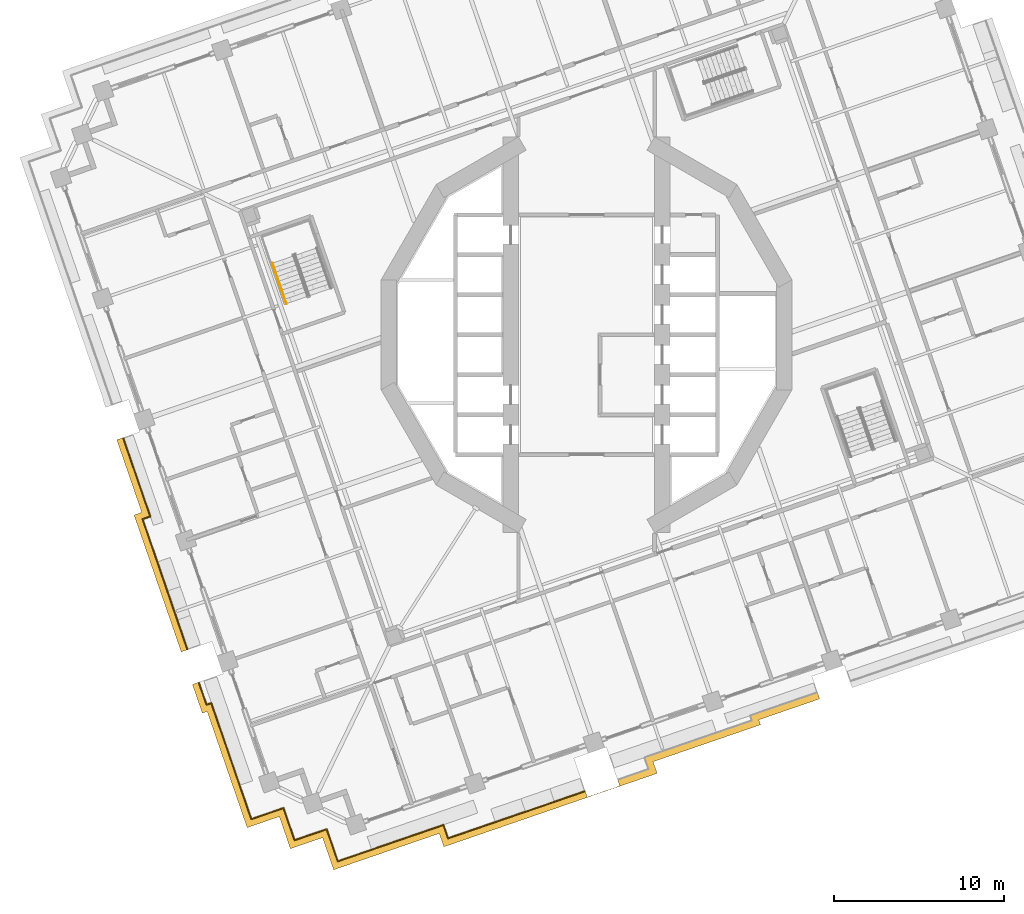
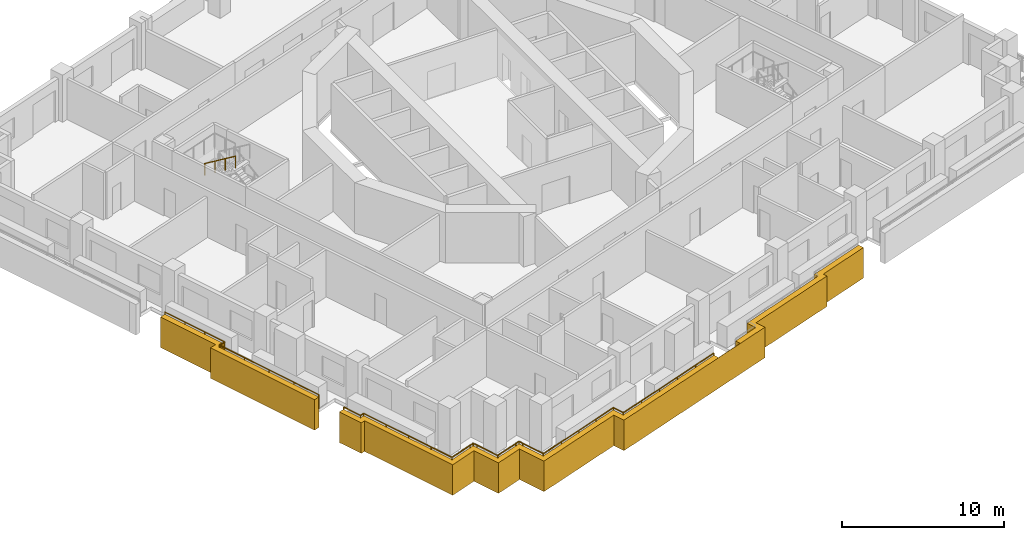
# One storey, part 12 of 18: 5 railings, 2 coverings.
"""IFC4 building model written with IfcOpenShell, lengths in metres."""

import ifcopenshell
import ifcopenshell.guid

model = None  # the IFC model being written
_history = None  # IfcOwnerHistory: only IFC2X3 demands one
_inside = {}  # id of a spatial element -> (the spatial element, [elements in it])
_under = {}  # id of a project, library or spatial element -> (it, [spatial elements below it])
_declared = {}  # id of a project -> (the project, [libraries it declares])
_typed = {}  # id of a type object -> (the type object, [elements of that type])
_made_of = {}  # id of a material, layer set ... -> (it, [elements and type objects made of it])


def new_model(schema):
    """Start an empty IFC model of exactly this schema.

    Asked for "IFC4X3", IfcOpenShell would pick the latest addendum, in which some entities
    have other attributes; the version numbers below select the first issue.
    IFC2X3 requires an IfcOwnerHistory on every rooted entity: one is made here for all.
    """
    global model, _history
    if schema == "IFC4X3":
        model = ifcopenshell.file(schema_version=(4, 3, 0, 0))
    else:
        model = ifcopenshell.file(schema=schema)
    _inside.clear()
    _under.clear()
    _declared.clear()
    _typed.clear()
    _made_of.clear()
    _history = None
    if model.schema == "IFC2X3":
        org = make("IfcOrganization", Name="unknown")
        user = make(
            "IfcPersonAndOrganization",
            ThePerson=make("IfcPerson", FamilyName="unknown"),
            TheOrganization=org,
        )
        app = make(
            "IfcApplication",
            ApplicationDeveloper=org,
            Version="unknown",
            ApplicationFullName="unknown",
            ApplicationIdentifier="unknown",
        )
        _history = make(
            "IfcOwnerHistory",
            OwningUser=user,
            OwningApplication=app,
            ChangeAction="ADDED",
            CreationDate=0,
        )
    return model


def make(cls, **values):
    """One entity of the class cls with the attributes given. An attribute that is None is left unset."""
    return model.create_entity(
        cls, **{name: value for name, value in values.items() if value is not None}
    )


def rooted(cls, **values):
    """An entity with a GlobalId (a new one), such as an element, a storey or a relation."""
    return make(cls, GlobalId=ifcopenshell.guid.new(), OwnerHistory=_history, **values)


def si_unit(unit_type, name, prefix=None):
    """IfcSIUnit, for example si_unit("LENGTHUNIT", "METRE", prefix="MILLI")."""
    return make("IfcSIUnit", UnitType=unit_type, Prefix=prefix, Name=name)


def assignment(units):
    """IfcUnitAssignment: the units of a project."""
    return None if units is None else make("IfcUnitAssignment", Units=units)


def point(xyz):
    """IfcCartesianPoint."""
    return None if xyz is None else make("IfcCartesianPoint", Coordinates=xyz)


def direction(xyz):
    """IfcDirection."""
    return None if xyz is None else make("IfcDirection", DirectionRatios=xyz)


def frame(location, z_axis=None, x_axis=None):
    """IfcAxis2Placement3D, a coordinate frame: its origin and axes. An axis left out is left unset."""
    return make(
        "IfcAxis2Placement3D",
        Location=point(location),
        Axis=direction(z_axis),
        RefDirection=direction(x_axis),
    )


def frame_2d(location, x_axis=None):
    """IfcAxis2Placement2D, a coordinate frame in the plane: its origin and x axis."""
    return make(
        "IfcAxis2Placement2D", Location=point(location), RefDirection=direction(x_axis)
    )


def origin():
    """The frame at (0, 0, 0) with its axes left unset."""
    return frame((0.0, 0.0, 0.0))


def origin_2d():
    """The frame at (0, 0) in the plane with its x axis left unset."""
    return frame_2d((0.0, 0.0))


def place(relative_to, where):
    """IfcLocalPlacement: puts the frame where relative to a parent placement (None: the world)."""
    return make(
        "IfcLocalPlacement", PlacementRelTo=relative_to, RelativePlacement=where
    )


def context(
    kind, dimensions, precision=None, world=None, true_north=None, identifier=None
):
    """IfcGeometricRepresentationContext, for example the 3D "Model" context."""
    return make(
        "IfcGeometricRepresentationContext",
        ContextIdentifier=identifier,
        ContextType=kind,
        CoordinateSpaceDimension=dimensions,
        Precision=precision,
        WorldCoordinateSystem=world,
        TrueNorth=true_north,
    )


def subcontext(parent, identifier, kind, view, scale=None):
    """IfcGeometricRepresentationSubContext, for example "Body" below "Model"."""
    return make(
        "IfcGeometricRepresentationSubContext",
        ContextIdentifier=identifier,
        ContextType=kind,
        ParentContext=parent,
        TargetScale=scale,
        TargetView=view,
    )


def project(units=None, contexts=None):
    """IfcProject with its units and contexts."""
    return rooted(
        "IfcProject",
        Name="project",
        RepresentationContexts=contexts,
        UnitsInContext=assignment(units),
    )


def spatial(cls, under=None, at=None, **own):
    """A site, building, storey or space (cls), placed at a placement, below another one or the project."""
    s = rooted(cls, ObjectPlacement=at, **own)
    if under is not None:
        _under.setdefault(under.id(), (under, []))[1].append(s)
    return s


def polyline(points):
    """IfcPolyline through the points."""
    return make("IfcPolyline", Points=[point(p) for p in points])


def profile(cls, at=None, kind="AREA", **sizes):
    """A parametric profile (cls). Its sizes go by their IFC names, for example OverallWidth=200.0."""
    return make(cls, ProfileType=kind, Position=at, **sizes)


def circle(**sizes):
    """IfcCircleProfileDef."""
    return profile("IfcCircleProfileDef", **sizes)


def outline(outer, holes=None, kind="AREA"):
    """IfcArbitraryClosedProfileDef: a profile drawn as a closed curve; with holes, ...WithVoids."""
    if holes is None:
        return make("IfcArbitraryClosedProfileDef", ProfileType=kind, OuterCurve=outer)
    return make(
        "IfcArbitraryProfileDefWithVoids",
        ProfileType=kind,
        OuterCurve=outer,
        InnerCurves=holes,
    )


def extrude(swept, where, along, depth):
    """IfcExtrudedAreaSolid: the profile swept, set in the frame where, extruded along a direction by depth."""
    return make(
        "IfcExtrudedAreaSolid",
        SweptArea=swept,
        Position=where,
        ExtrudedDirection=direction(along),
        Depth=depth,
    )


def shape(context_of_items, identifier, shape_type, items):
    """IfcShapeRepresentation: the items that make up one representation, for example the "Body"."""
    return make(
        "IfcShapeRepresentation",
        ContextOfItems=context_of_items,
        RepresentationIdentifier=identifier,
        RepresentationType=shape_type,
        Items=items,
    )


def material(Name=None, Category=None):
    """IfcMaterial."""
    return make("IfcMaterial", Name=Name, Category=Category)


def made_of(thing, what):
    """Note that an element or type object is made of a material, layer set ...; save() writes the relation."""
    if what is not None:
        _made_of.setdefault(what.id(), (what, []))[1].append(thing)
    return thing


def type_object(cls, material=None, **own):
    """A type object (cls), such as IfcWallType, which elements share."""
    return made_of(rooted(cls, **own), material)


def element(
    cls,
    number,
    at=None,
    inside=None,
    cuts=None,
    type_object=None,
    material=None,
    context=None,
    identifier="Body",
    shape_type=None,
    held_by="IfcProductDefinitionShape",
    body=None,
    shapes=None,
    **own,
):
    """One element of the class cls, such as IfcWall. Its Tag is "e" and its number.

    at: its placement. inside: the storey or other place that contains it. cuts: it is an
    opening in that element (IfcRelVoidsElement). A single representation is given by context,
    identifier, shape_type and body (its items); several are given by shapes. held_by: the class
    of the entity that holds the representations. save() writes the other relations.
    """
    e = rooted(cls, Tag="e%d" % number, ObjectPlacement=at, **own)
    if body is not None:
        shapes = [shape(context, identifier, shape_type, body)]
    if shapes is not None:
        e.Representation = make(held_by, Representations=shapes)
    if inside is not None:
        _inside.setdefault(inside.id(), (inside, []))[1].append(e)
    if cuts is not None:
        rooted(
            "IfcRelVoidsElement", RelatingBuildingElement=cuts, RelatedOpeningElement=e
        )
    if type_object is not None:
        _typed.setdefault(type_object.id(), (type_object, []))[1].append(e)
    return made_of(e, material)


def aggregate(whole, parts):
    """IfcRelAggregates: a whole, such as a stair, and the parts it consists of."""
    return rooted("IfcRelAggregates", RelatingObject=whole, RelatedObjects=parts)


def save(model, path):
    """Write the relations noted so far, then the file.

    IfcRelAggregates (storeys below a building ...), IfcRelContainedInSpatialStructure (elements
    in a storey), IfcRelDefinesByType, IfcRelAssociatesMaterial and IfcRelDeclares: one each for
    every whole, place, type object, material and project.
    """
    for whole, parts in _under.values():
        aggregate(whole, parts)
    for where, things in _inside.values():
        rooted(
            "IfcRelContainedInSpatialStructure",
            RelatedElements=things,
            RelatingStructure=where,
        )
    for kind, things in _typed.values():
        rooted("IfcRelDefinesByType", RelatedObjects=things, RelatingType=kind)
    for what, things in _made_of.values():
        rooted("IfcRelAssociatesMaterial", RelatedObjects=things, RelatingMaterial=what)
    for by, libraries in _declared.values():
        rooted("IfcRelDeclares", RelatingContext=by, RelatedDefinitions=libraries)
    model.write(path)


model = new_model("IFC4")

# Units and contexts
model_context = context("Model", 3, precision=1e-05, world=origin(), true_north=direction((0.0, 1.0)))
body_context = subcontext(model_context, "Body", "Model", "MODEL_VIEW")
ifc_project = project(units=[si_unit("LENGTHUNIT", "METRE"), si_unit("AREAUNIT", "SQUARE_METRE"), si_unit("VOLUMEUNIT", "CUBIC_METRE"), si_unit("PLANEANGLEUNIT", "RADIAN"), si_unit("MASSUNIT", "GRAM", prefix="KILO")], contexts=[model_context])

# Site, building, storey
site_placement = place(None, origin())
site = spatial("IfcSite", under=ifc_project, at=site_placement, CompositionType="ELEMENT")
building_placement = place(site_placement, origin())
building = spatial("IfcBuilding", under=site, at=building_placement, Name="Cantera Rosa Tower", CompositionType="ELEMENT")
storey_placement = place(building_placement, frame((0.0, 0.0, 134.5)))
storey = spatial("IfcBuildingStorey", under=building, at=storey_placement, Name="L28", CompositionType="ELEMENT", Elevation=134.5)

# Railings
ifc_material_1 = material(Name="Stainless steel and laminated glass", Category="steel")
railing_type_1 = type_object("IfcRailingType", Name="GUARD 1100", PredefinedType="BALUSTRADE", material=ifc_material_1)
railing_1_placement = place(storey_placement, frame((-19.705810546875, -28.466552734375, 0.0)))
element("IfcRailing", 1, at=railing_1_placement, inside=storey, type_object=railing_type_1, Name="GUARD L28-1", PredefinedType="BALUSTRADE", context=body_context, shape_type="SweptSolid", body=[
    extrude(circle(Radius=0.030029296875, at=origin_2d()), frame((0.0, 0.0, 1.070068359375), z_axis=(-0.325561349174, 0.945520918819, 0.0), x_axis=(-0.945520918819, -0.325561349174, 0.0)), (0.0, 0.0, 1.0), 1.699951171875),
    extrude(circle(Radius=0.030029296875, at=origin_2d()), frame((-0.553466796875, 1.607421875, 1.070068359375), z_axis=(-0.325569350846, 0.945518163649, 0.0), x_axis=(-0.945518163649, -0.325569350846, 0.0)), (0.0, 0.0, 1.0), 5.518310546875),
    extrude(circle(Radius=0.030029296875, at=origin_2d()), frame((-2.35009765625, 6.8251953125, 1.070068359375), z_axis=(-0.945562091627, -0.325441747289, 0.0), x_axis=(0.325441747289, -0.945562091627, 0.0)), (0.0, 0.0, 1.0), 0.301513671875),
    extrude(circle(Radius=0.030029296875, at=origin_2d()), frame((-2.63525390625, 6.72705078125, 1.070068359375), z_axis=(-0.325557288709, 0.945522316907, 0.0), x_axis=(-0.945522316907, -0.325557288709, 0.0)), (0.0, 0.0, 1.0), 1.37158203125),
    extrude(circle(Radius=0.02490234375, at=origin_2d()), origin(), (0.0, 0.0, 1.0), 1.0400390625),
    extrude(circle(Radius=0.02490234375, at=origin_2d()), frame((-0.553466796875, 1.607421875, 0.0)), (0.0, 0.0, 1.0), 1.0400390625),
    extrude(circle(Radius=0.02490234375, at=origin_2d()), frame((-1.15234375, 3.3466796875, 0.0)), (0.0, 0.0, 1.0), 1.0400390625),
    extrude(circle(Radius=0.02490234375, at=origin_2d()), frame((-1.751220703125, 5.0859375, 0.0)), (0.0, 0.0, 1.0), 1.0400390625),
    extrude(circle(Radius=0.02490234375, at=origin_2d()), frame((-2.35009765625, 6.8251953125, 0.0)), (0.0, 0.0, 1.0), 1.0400390625),
    extrude(circle(Radius=0.02490234375, at=origin_2d()), frame((-2.63525390625, 6.72705078125, 0.0)), (0.0, 0.0, 1.0), 1.0400390625),
    extrude(circle(Radius=0.02490234375, at=origin_2d()), frame((-3.081787109375, 8.02392578125, 0.0)), (0.0, 0.0, 1.0), 1.0400390625),
])
railing_2_placement = place(storey_placement, frame((-0.1015625, -26.82666015625, 0.0)))
element("IfcRailing", 2, at=railing_2_placement, inside=storey, type_object=railing_type_1, Name="GUARD L28-2", PredefinedType="BALUSTRADE", context=body_context, shape_type="SweptSolid", body=[
    extrude(circle(Radius=0.030029296875, at=origin_2d()), frame((0.0, 0.0, 1.070068359375), z_axis=(-0.945515705573, -0.3255764895, 0.0), x_axis=(0.3255764895, -0.945515705573, 0.0)), (0.0, 0.0, 1.0), 8.501953125),
    extrude(circle(Radius=0.030029296875, at=origin_2d()), frame((-8.038818359375, -2.76806640625, 1.070068359375), z_axis=(-0.325629026099, 0.94549761362, 0.0), x_axis=(-0.94549761362, -0.325629026099, 0.0)), (0.0, 0.0, 1.0), 0.832275390625),
    extrude(circle(Radius=0.030029296875, at=origin_2d()), frame((-8.309814453125, -1.981201171875, 1.070068359375), z_axis=(-0.945512531249, -0.325585707997, 0.0), x_axis=(0.325585707997, -0.945512531249, 0.0)), (0.0, 0.0, 1.0), 4.867919921875),
    extrude(circle(Radius=0.030029296875, at=origin_2d()), frame((-12.91259765625, -3.566162109375, 1.070068359375), z_axis=(-0.945520918819, -0.325561349174, 0.0), x_axis=(0.325561349174, -0.945520918819, 0.0)), (0.0, 0.0, 1.0), 1.699951171875),
    extrude(circle(Radius=0.030029296875, at=origin_2d()), frame((-14.52001953125, -4.11962890625, 1.070068359375), z_axis=(-0.325561349174, 0.945520918819, 0.0), x_axis=(-0.945520918819, -0.325561349174, 0.0)), (0.0, 0.0, 1.0), 1.699951171875),
    extrude(circle(Radius=0.030029296875, at=origin_2d()), frame((-15.073486328125, -2.51220703125, 1.070068359375), z_axis=(-0.325489086777, 0.945545797087, 0.0), x_axis=(-0.945545797087, -0.325489086777, 0.0)), (0.0, 0.0, 1.0), 0.300048828125),
    extrude(circle(Radius=0.030029296875, at=origin_2d()), frame((-15.171142578125, -2.228515625, 1.070068359375), z_axis=(-0.945459489149, -0.325739703411, 0.0), x_axis=(0.325739703411, -0.945459489149, 0.0)), (0.0, 0.0, 1.0), 0.2998046875),
    extrude(circle(Radius=0.030029296875, at=origin_2d()), frame((-15.45458984375, -2.326171875, 1.070068359375), z_axis=(-0.945520918819, -0.325561349174, 0.0), x_axis=(0.325561349174, -0.945520918819, 0.0)), (0.0, 0.0, 1.0), 1.699951171875),
    extrude(circle(Radius=0.030029296875, at=origin_2d()), frame((-17.06201171875, -2.879638671875, 1.070068359375), z_axis=(-0.325605561237, 0.945505694584, 0.0), x_axis=(-0.945505694584, -0.325605561237, 0.0)), (0.0, 0.0, 1.0), 1.69970703125),
    extrude(circle(Radius=0.030029296875, at=origin_2d()), frame((-17.615478515625, -1.2724609375, 1.070068359375), z_axis=(-0.325489086777, 0.945545797087, 0.0), x_axis=(-0.945545797087, -0.325489086777, 0.0)), (0.0, 0.0, 1.0), 0.300048828125),
    extrude(circle(Radius=0.030029296875, at=origin_2d()), frame((-17.713134765625, -0.98876953125, 1.070068359375), z_axis=(-0.945545797087, -0.325489086777, 0.0), x_axis=(0.325489086777, -0.945545797087, 0.0)), (0.0, 0.0, 1.0), 0.300048828125),
    extrude(circle(Radius=0.030029296875, at=origin_2d()), frame((-17.996826171875, -1.08642578125, 1.070068359375), z_axis=(-0.945520918819, -0.325561349174, 0.0), x_axis=(0.325561349174, -0.945520918819, 0.0)), (0.0, 0.0, 1.0), 1.699951171875),
    extrude(circle(Radius=0.02490234375, at=origin_2d()), origin(), (0.0, 0.0, 1.0), 1.0400390625),
    extrude(circle(Radius=0.02490234375, at=origin_2d()), frame((-1.607666015625, -0.5537109375, 0.0)), (0.0, 0.0, 1.0), 1.0400390625),
    extrude(circle(Radius=0.02490234375, at=origin_2d()), frame((-3.215576171875, -1.107177734375, 0.0)), (0.0, 0.0, 1.0), 1.0400390625),
    extrude(circle(Radius=0.02490234375, at=origin_2d()), frame((-4.8232421875, -1.660888671875, 0.0)), (0.0, 0.0, 1.0), 1.0400390625),
    extrude(circle(Radius=0.02490234375, at=origin_2d()), frame((-6.43115234375, -2.21435546875, 0.0)), (0.0, 0.0, 1.0), 1.0400390625),
    extrude(circle(Radius=0.02490234375, at=origin_2d()), frame((-8.038818359375, -2.76806640625, 0.0)), (0.0, 0.0, 1.0), 1.0400390625),
    extrude(circle(Radius=0.02490234375, at=origin_2d()), frame((-8.309814453125, -1.981201171875, 0.0)), (0.0, 0.0, 1.0), 1.0400390625),
    extrude(circle(Radius=0.02490234375, at=origin_2d()), frame((-9.843994140625, -2.509521484375, 0.0)), (0.0, 0.0, 1.0), 1.0400390625),
    extrude(circle(Radius=0.02490234375, at=origin_2d()), frame((-11.37841796875, -3.037841796875, 0.0)), (0.0, 0.0, 1.0), 1.0400390625),
    extrude(circle(Radius=0.02490234375, at=origin_2d()), frame((-12.91259765625, -3.566162109375, 0.0)), (0.0, 0.0, 1.0), 1.0400390625),
    extrude(circle(Radius=0.02490234375, at=origin_2d()), frame((-14.52001953125, -4.11962890625, 0.0)), (0.0, 0.0, 1.0), 1.0400390625),
    extrude(circle(Radius=0.02490234375, at=origin_2d()), frame((-15.073486328125, -2.51220703125, 0.0)), (0.0, 0.0, 1.0), 1.0400390625),
    extrude(circle(Radius=0.02490234375, at=origin_2d()), frame((-15.171142578125, -2.228515625, 0.0)), (0.0, 0.0, 1.0), 1.0400390625),
    extrude(circle(Radius=0.02490234375, at=origin_2d()), frame((-15.45458984375, -2.326171875, 0.0)), (0.0, 0.0, 1.0), 1.0400390625),
    extrude(circle(Radius=0.02490234375, at=origin_2d()), frame((-17.06201171875, -2.879638671875, 0.0)), (0.0, 0.0, 1.0), 1.0400390625),
    extrude(circle(Radius=0.02490234375, at=origin_2d()), frame((-17.615478515625, -1.2724609375, 0.0)), (0.0, 0.0, 1.0), 1.0400390625),
    extrude(circle(Radius=0.02490234375, at=origin_2d()), frame((-17.713134765625, -0.98876953125, 0.0)), (0.0, 0.0, 1.0), 1.0400390625),
    extrude(circle(Radius=0.02490234375, at=origin_2d()), frame((-17.996826171875, -1.08642578125, 0.0)), (0.0, 0.0, 1.0), 1.0400390625),
    extrude(circle(Radius=0.02490234375, at=origin_2d()), frame((-19.604248046875, -1.639892578125, 0.0)), (0.0, 0.0, 1.0), 1.0400390625),
])
railing_3_placement = place(storey_placement, frame((-25.639892578125, -10.688232421875, 0.0)))
element("IfcRailing", 3, at=railing_3_placement, inside=storey, type_object=railing_type_1, Name="GUARD L28-3", PredefinedType="BALUSTRADE", context=body_context, shape_type="SweptSolid", body=[
    extrude(circle(Radius=0.030029296875, at=origin_2d()), frame((0.0, 0.0, 1.070068359375), z_axis=(-0.325576621032, 0.945515660281, 0.0), x_axis=(-0.945515660281, -0.325576621032, 0.0)), (0.0, 0.0, 1.0), 4.888427734375),
    extrude(circle(Radius=0.02490234375, at=origin_2d()), origin(), (0.0, 0.0, 1.0), 1.0400390625),
    extrude(circle(Radius=0.02490234375, at=origin_2d()), frame((-0.530517578125, 1.540771484375, 0.0)), (0.0, 0.0, 1.0), 1.0400390625),
    extrude(circle(Radius=0.02490234375, at=origin_2d()), frame((-1.06103515625, 3.081298828125, 0.0)), (0.0, 0.0, 1.0), 1.0400390625),
    extrude(circle(Radius=0.02490234375, at=origin_2d()), frame((-1.591552734375, 4.6220703125, 0.0)), (0.0, 0.0, 1.0), 1.0400390625),
])
railing_4_placement = place(storey_placement, frame((-23.458251953125, -18.494873046875, 0.0)))
element("IfcRailing", 4, at=railing_4_placement, inside=storey, type_object=railing_type_1, Name="GUARD L28-4", PredefinedType="BALUSTRADE", context=body_context, shape_type="SweptSolid", body=[
    extrude(circle(Radius=0.030029296875, at=origin_2d()), frame((0.0, 0.0, 1.070068359375), z_axis=(-0.325589884349, 0.945511093118, 0.0), x_axis=(-0.945511093118, -0.325589884349, 0.0)), (0.0, 0.0, 1.0), 8.091552734375),
    extrude(circle(Radius=0.030029296875, at=origin_2d()), frame((-2.634521484375, 7.650634765625, 1.070068359375), z_axis=(0.94547584758, 0.325692219193, 0.0), x_axis=(-0.325692219193, 0.94547584758, 0.0)), (0.0, 0.0, 1.0), 0.47900390625),
    extrude(circle(Radius=0.02490234375, at=origin_2d()), origin(), (0.0, 0.0, 1.0), 1.0400390625),
    extrude(circle(Radius=0.02490234375, at=origin_2d()), frame((-0.65869140625, 1.91259765625, 0.0)), (0.0, 0.0, 1.0), 1.0400390625),
    extrude(circle(Radius=0.02490234375, at=origin_2d()), frame((-1.3173828125, 3.8251953125, 0.0)), (0.0, 0.0, 1.0), 1.0400390625),
    extrude(circle(Radius=0.02490234375, at=origin_2d()), frame((-1.975830078125, 5.738037109375, 0.0)), (0.0, 0.0, 1.0), 1.0400390625),
    extrude(circle(Radius=0.02490234375, at=origin_2d()), frame((-2.634521484375, 7.650634765625, 0.0)), (0.0, 0.0, 1.0), 1.0400390625),
    extrude(circle(Radius=0.02490234375, at=origin_2d()), frame((-2.181640625, 7.806640625, 0.0)), (0.0, 0.0, 1.0), 1.0400390625),
])
ifc_material_2 = material(Name="Steel S355J2 (EN 10025-2)", Category="steel")
railing_type_2 = type_object("IfcRailingType", Name="STAIR HANDRAIL 900", PredefinedType="HANDRAIL", material=ifc_material_2)
railing_5_placement = place(storey_placement, frame((-18.46484375, 4.21142578125, 2.090087890625)))
element("IfcRailing", 5, at=railing_5_placement, inside=storey, type_object=railing_type_2, Name="L28 ST-22 stair handrail 2", PredefinedType="HANDRAIL", context=body_context, shape_type="SweptSolid", body=[
    extrude(circle(Radius=0.02392578125, at=origin_2d()), frame((0.0, 0.0, 0.8759765625), z_axis=(0.269432418223, -0.782404165978, 0.561471186323), x_axis=(0.94550776501, 0.325599548996, 0.0)), (0.0, 0.0, 1.0), 3.04541015625),
    extrude(circle(Radius=0.02099609375, at=origin_2d()), origin(), (0.0, 0.0, 1.0), 0.851806640625),
    extrude(circle(Radius=0.02099609375, at=origin_2d()), frame((0.2734375, -0.794189453125, 0.570068359375)), (0.0, 0.0, 1.0), 0.851806640625),
    extrude(circle(Radius=0.02099609375, at=origin_2d()), frame((0.547119140625, -1.588623046875, 1.139892578125)), (0.0, 0.0, 1.0), 0.851806640625),
    extrude(circle(Radius=0.02099609375, at=origin_2d()), frame((0.820556640625, -2.3828125, 1.7099609375)), (0.0, 0.0, 1.0), 0.851806640625),
])

# Coverings
ifc_material_3 = material(Name="Cantera stone", Category="masonry")
covering_type = type_object("IfcCoveringType", Name="TRAY FASCIA 400", PredefinedType="CLADDING", material=ifc_material_3)
covering_1_placement = place(storey_placement, frame((0.0, 0.0, -1.39990234375)))
element("IfcCovering", 6, at=covering_1_placement, inside=storey, type_object=covering_type, Name="TRAY FASCIA L28-02", PredefinedType="CLADDING", context=body_context, shape_type="SweptSolid", body=[
    extrude(outline(polyline([(-26.60107421875, -10.59619140625), (-26.1484375, -10.440185546875), (-27.6162109375, -6.177490234375), (-27.238037109375, -6.04736328125), (-25.639892578125, -10.688232421875), (-26.0927734375, -10.84423828125), (-23.45166015625, -18.513916015625), (-23.830078125, -18.64404296875), (-26.60107421875, -10.59619140625)])), origin(), (0.0, 0.0, 1.0), 2.2998046875),
])
covering_2_placement = place(storey_placement, frame((0.0, 0.0, -1.39990234375)))
element("IfcCovering", 7, at=covering_2_placement, inside=storey, type_object=covering_type, Name="TRAY FASCIA L28-03", PredefinedType="CLADDING", context=body_context, shape_type="SweptSolid", body=[
    extrude(outline(polyline([(13.6201171875, -21.433349609375), (10.128173828125, -22.6357421875), (10.22802734375, -22.926025390625), (3.916748046875, -25.09912109375), (4.15283203125, -25.78466796875), (-8.388427734375, -30.10302734375), (-8.6591796875, -29.31640625), (-12.8837890625, -30.77099609375), (-14.869384765625, -31.454833984375), (-15.5205078125, -29.563720703125), (-17.41162109375, -30.21484375), (-18.062744140625, -28.32373046875), (-19.953857421875, -28.974853515625), (-20.637451171875, -26.9892578125), (-22.303955078125, -22.14990234375), (-22.589111328125, -22.248046875), (-23.17236328125, -20.553955078125), (-22.794189453125, -20.423828125), (-22.341064453125, -21.739501953125), (-22.055908203125, -21.641357421875), (-20.25927734375, -26.859130859375), (-19.705810546875, -28.466552734375), (-18.098388671875, -27.9130859375), (-17.814697265625, -27.8154296875), (-17.717041015625, -28.09912109375), (-17.16357421875, -29.706298828125), (-15.55615234375, -29.15283203125), (-15.272705078125, -29.05517578125), (-15.175048828125, -29.3388671875), (-14.62158203125, -30.9462890625), (-13.01416015625, -30.392822265625), (-8.411376953125, -28.807861328125), (-8.140380859375, -29.5947265625), (-0.082763671875, -26.820068359375), (0.037109375, -27.16796875), (0.037353515625, -27.1689453125), (0.037841796875, -27.169921875), (0.038330078125, -27.170654296875), (0.0390625, -27.17138671875), (0.039794921875, -27.172119140625), (0.04052734375, -27.1728515625), (0.041259765625, -27.17333984375), (0.042236328125, -27.173828125), (0.04296875, -27.17431640625), (0.0439453125, -27.174560546875), (0.044921875, -27.1748046875), (0.0458984375, -27.1748046875), (0.046875, -27.1748046875), (0.0478515625, -27.1748046875), (0.048828125, -27.174560546875), (0.0498046875, -27.17431640625), (1.94091796875, -26.523193359375), (1.941650390625, -26.522705078125), (1.942626953125, -26.522216796875), (1.943359375, -26.521728515625), (1.944091796875, -26.521240234375), (1.94482421875, -26.5205078125), (1.945556640625, -26.519775390625), (1.946044921875, -26.51904296875), (1.946533203125, -26.51806640625), (1.947021484375, -26.51708984375), (1.947265625, -26.516357421875), (1.947509765625, -26.515380859375), (1.947509765625, -26.514404296875), (1.947509765625, -26.513427734375), (1.947509765625, -26.512451171875), (1.947265625, -26.511474609375), (1.947021484375, -26.510498046875), (1.8271484375, -26.162353515625), (3.64453125, -25.53662109375), (3.408447265625, -24.85107421875), (9.7197265625, -22.677978515625), (9.619873046875, -22.387939453125), (13.48974609375, -21.05517578125), (13.574951171875, -21.02587890625), (13.705078125, -21.404052734375), (13.6201171875, -21.433349609375)])), origin(), (0.0, 0.0, 1.0), 2.2998046875),
])

save(model, "model.ifc")
